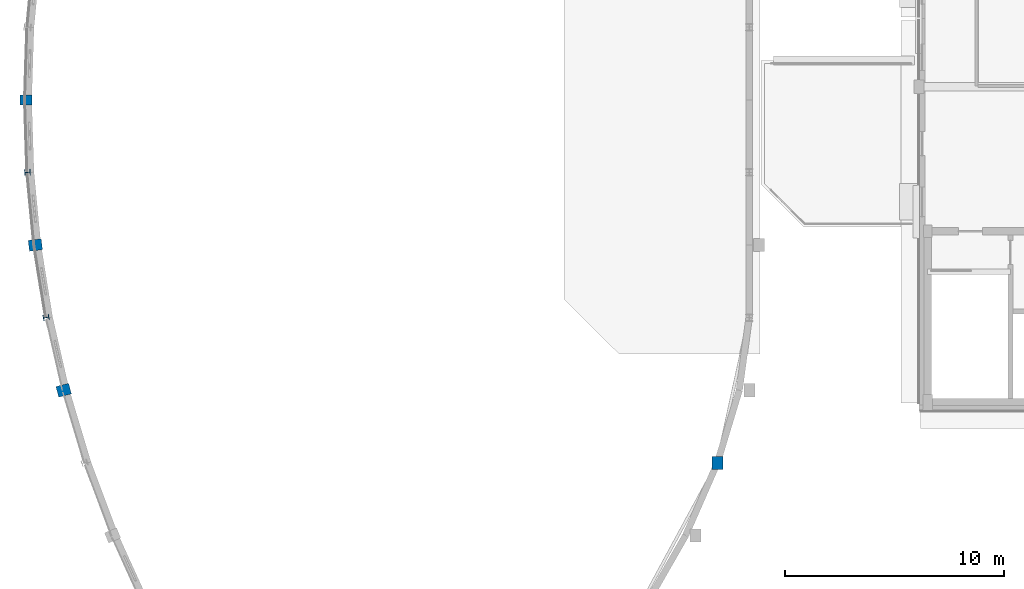
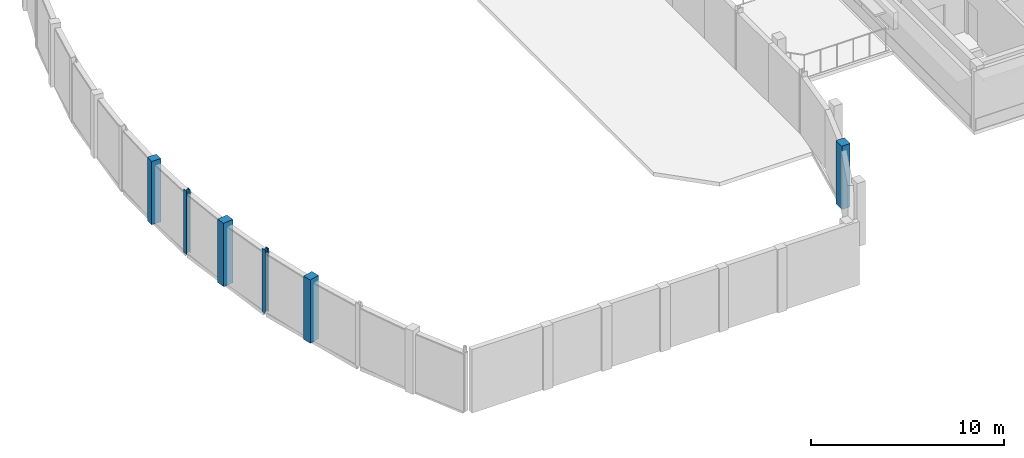
# One storey, part 2 of 89: 6 columns.
"""IFC4 building model written with IfcOpenShell, lengths in metres."""

from ifc_helpers import new_model, si_unit, direction, frame, origin, origin_2d, place, context, subcontext, project, spatial, rectangle, i_section, extrude, material, material_profile, profile_set, type_object, element, save


model = new_model("IFC4")

# Units and contexts
model_context = context("Model", 3, precision=1e-05, world=origin(), true_north=direction((0.0, 1.0)))
body_context = subcontext(model_context, "Body", "Model", "MODEL_VIEW")
ifc_project = project(units=[si_unit("LENGTHUNIT", "METRE"), si_unit("AREAUNIT", "SQUARE_METRE"), si_unit("VOLUMEUNIT", "CUBIC_METRE"), si_unit("PLANEANGLEUNIT", "RADIAN"), si_unit("MASSUNIT", "GRAM", prefix="KILO")], contexts=[model_context])

# Site, building, storey
site_placement = place(None, origin())
site = spatial("IfcSite", under=ifc_project, at=site_placement, CompositionType="ELEMENT")
building_placement = place(site_placement, origin())
building = spatial("IfcBuilding", under=site, at=building_placement, Name="Kelanivale Promenade Academy", CompositionType="ELEMENT")
storey_placement = place(building_placement, frame((0.0, 0.0, 12.199951171875)))
storey = spatial("IfcBuildingStorey", under=building, at=storey_placement, Name="L03", CompositionType="ELEMENT", Elevation=12.199951171875)

# Columns
ifc_material_1 = material(Name="Concrete C40/50", Category="concrete")
ifc_material_profile_1 = material_profile(ifc_material_1, rectangle(XDim=0.449951171875, YDim=0.550048828125, at=origin_2d()), Name="RC-PIL 450x550")
ifc_profile_set_1 = profile_set([ifc_material_profile_1], Name="Concrete C40/50")
column_type_1 = type_object("IfcColumnType", Name="PL-17 RC-PIL 450x550", PredefinedType="PILASTER", material=ifc_profile_set_1)
column_placement = place(storey_placement, frame((2.43994140625, 56.199951171875, 0.0), z_axis=(0.0, 0.0, 1.0), x_axis=(0.0, 1.0, 0.0)))
element("IfcColumn", 1, at=column_placement, inside=storey, type_object=column_type_1, Name="Column PL-17 at (2.4, 56.2) L03", PredefinedType="PILASTER", context=body_context, shape_type="SweptSolid", body=[
    extrude(rectangle(XDim=0.449951171875, YDim=0.550048828125, at=origin_2d()), origin(), (0.0, 0.0, 1.0), 4.0),
])
ifc_material_profile_2 = material_profile(ifc_material_1, rectangle(XDim=0.5, YDim=0.60009765625, at=origin_2d()), Name="RC-PIL 500x600")
ifc_profile_set_2 = profile_set([ifc_material_profile_2], Name="Concrete C40/50")
column_type_2 = type_object("IfcColumnType", Name="PL-18 RC-PIL 500x600", PredefinedType="PILASTER", material=ifc_profile_set_2)
for number, where, z_axis, x_axis, name in (
    (2, (2.864013671875, 49.571044921875, 0.0), (0.0, 0.0, 1.0), (-0.12741083733, 0.991850028246, 0.0), "Column PL-18 at (2.9, 49.6) L03"),
    (3, (4.157958984375, 42.943115234375, 0.0), (0.0, 0.0, 1.0), (-0.2549394954, 0.966957007154, 0.0), "Column PL-18 at (4.2, 42.9) L03"),
    (4, (34.0, 39.62890625, 0.0), (0.0, 0.0, 1.0), (1.0, 0.0, 0.0), "Column PL-18 at (34.0, 39.6) L03"),
):
    element("IfcColumn", number, at=place(storey_placement, frame(where, z_axis=z_axis, x_axis=x_axis)), inside=storey, type_object=column_type_2, Name=name, PredefinedType="PILASTER", context=body_context, shape_type="SweptSolid", body=[
        extrude(rectangle(XDim=0.5, YDim=0.60009765625, at=origin_2d()), origin(), (0.0, 0.0, 1.0), 4.0),
    ])
ifc_material_2 = material(Name="Steel S355", Category="steel")
ifc_material_profile_3 = material_profile(ifc_material_2, i_section(OverallWidth=0.25634765625, OverallDepth=0.26025390625, WebThickness=0.01025390625, FlangeThickness=0.017333984375, FilletRadius=0.0126953125, at=origin_2d()), Name="UC 254x254x89")
ifc_profile_set_3 = profile_set([ifc_material_profile_3], Name="Steel S355")
column_type_3 = type_object("IfcColumnType", Name="SC-03 UC 254x254x89", PredefinedType="COLUMN", material=ifc_profile_set_3)
for number, where, z_axis, x_axis, name in (
    (5, (2.506103515625, 52.885986328125, 0.0), (0.0, 0.0, 1.0), (-0.063661438132, 0.99797155335, 0.0), "Column SC-03 at (2.5, 52.9) L03"),
    (6, (3.35888671875, 46.257080078125, 0.0), (0.0, 0.0, 1.0), (-0.191151636272, 0.981560518741, 0.0), "Column SC-03 at (3.4, 46.3) L03"),
):
    element("IfcColumn", number, at=place(storey_placement, frame(where, z_axis=z_axis, x_axis=x_axis)), inside=storey, type_object=column_type_3, Name=name, PredefinedType="COLUMN", context=body_context, shape_type="SweptSolid", body=[
        extrude(i_section(OverallWidth=0.25634765625, OverallDepth=0.26025390625, WebThickness=0.01025390625, FlangeThickness=0.017333984375, FilletRadius=0.0126953125, at=origin_2d()), origin(), (0.0, 0.0, 1.0), 4.0),
    ])

save(model, "model.ifc")
